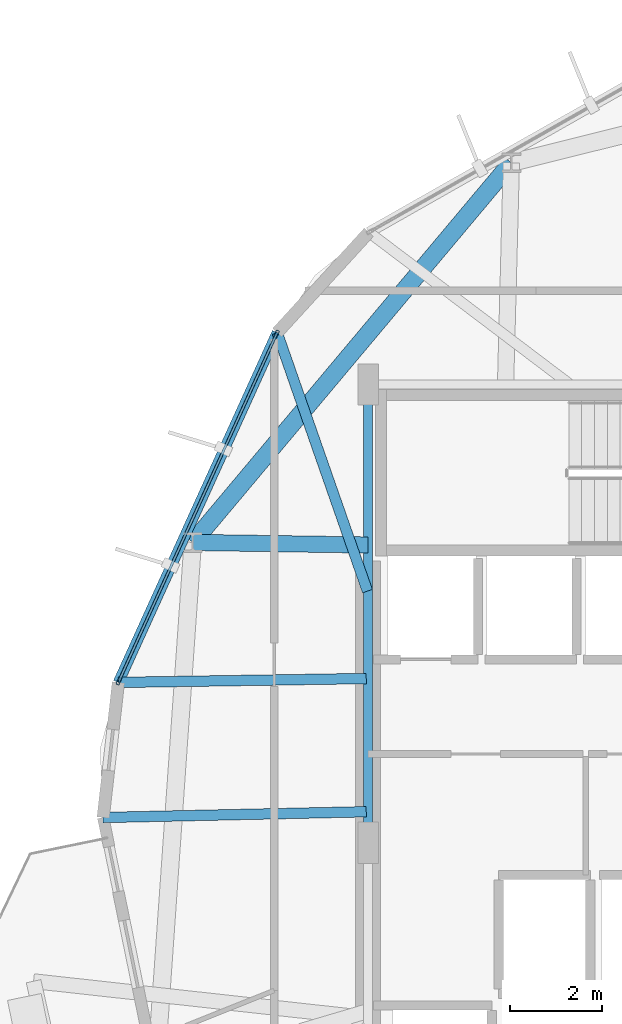
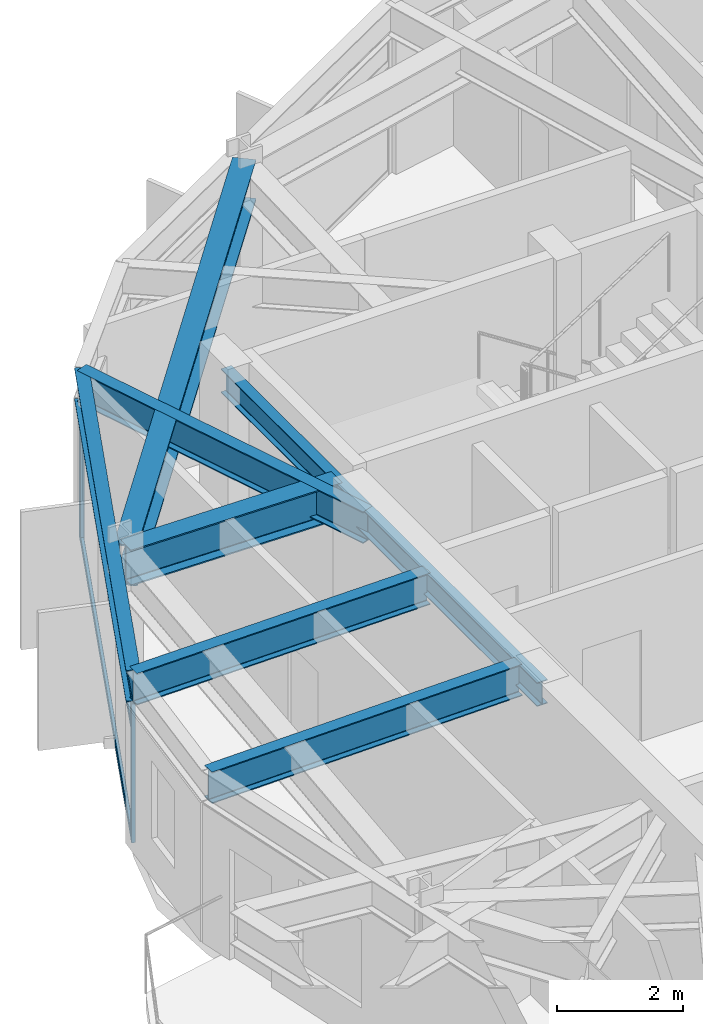
# One storey, part 7 of 22: 7 beams, 5 members, 1 element without a shape of its own.
"""IFC4 building model written with IfcOpenShell, lengths in metres."""

from ifc_helpers import new_model, si_unit, direction, frame, origin, origin_2d, place, context, subcontext, project, spatial, hollow_rectangle, i_section, extrude, material, layer, layer_set, material_profile, profile_set, type_object, element, aggregate, save


model = new_model("IFC4")

# Units and contexts
model_context = context("Model", 3, precision=1e-05, world=origin(), true_north=direction((0.0, 1.0)))
body_context = subcontext(model_context, "Body", "Model", "MODEL_VIEW")
ifc_project = project(units=[si_unit("LENGTHUNIT", "METRE"), si_unit("AREAUNIT", "SQUARE_METRE"), si_unit("VOLUMEUNIT", "CUBIC_METRE"), si_unit("PLANEANGLEUNIT", "RADIAN"), si_unit("MASSUNIT", "GRAM", prefix="KILO")], contexts=[model_context])

# Site, building, storey
site_placement = place(None, origin())
site = spatial("IfcSite", under=ifc_project, at=site_placement, CompositionType="ELEMENT")
building_placement = place(site_placement, origin())
building = spatial("IfcBuilding", under=site, at=building_placement, Name="Soratama Intermodal Tower", CompositionType="ELEMENT")
storey_placement = place(building_placement, frame((0.0, 0.0, 142.60009765625)))
storey = spatial("IfcBuildingStorey", under=building, at=storey_placement, Name="L34", CompositionType="ELEMENT", Elevation=142.60009765625)

# Beams
ifc_material_1 = material(Name="Structural steel ASTM A992 Grade 50", Category="steel")
ifc_material_profile_1 = material_profile(ifc_material_1, i_section(OverallWidth=0.19091796875, OverallDepth=0.4599609375, WebThickness=0.010009765625, FlangeThickness=0.01611328125, FilletRadius=0.010986328125, at=origin_2d()), Name="W18X55")
ifc_profile_set_1 = profile_set([ifc_material_profile_1], Name="Structural steel ASTM A992 Grade 50")
beam_type_1 = type_object("IfcBeamType", Name="BM-FLR-W18X55", PredefinedType="BEAM", material=ifc_profile_set_1)
beam_1_placement = place(storey_placement, frame((32.60009765625, 35.0, 3.06982421875), z_axis=(0.0, -1.0, 0.0), x_axis=(1.0, 0.0, 0.0)))
element("IfcBeam", 1, at=beam_1_placement, inside=storey, type_object=beam_type_1, Name="BM-L34-CRING-08", PredefinedType="BEAM", context=body_context, shape_type="SweptSolid", body=[
    extrude(i_section(OverallWidth=0.19091796875, OverallDepth=0.4599609375, WebThickness=0.010009765625, FlangeThickness=0.01611328125, FilletRadius=0.010986328125, at=origin_2d()), origin(), (0.0, 0.0, 1.0), 10.0),
])
ifc_material_2 = material(Name="Structural steel ASTM A992 Grade 50", Category="steel")
ifc_material_profile_2 = material_profile(ifc_material_2, i_section(OverallWidth=0.35498046875, OverallDepth=0.695068359375, WebThickness=0.015380859375, FlangeThickness=0.02490234375, FilletRadius=0.01611328125, at=origin_2d()), Name="W27X146")
ifc_profile_set_2 = profile_set([ifc_material_profile_2], Name="Structural steel ASTM A992 Grade 50")
beam_type_2 = type_object("IfcBeamType", Name="BM-RING-W27X146", PredefinedType="BEAM", material=ifc_profile_set_2)
beam_2_placement = place(storey_placement, frame((32.60009765625, 31.5, 2.952392578125), z_axis=(-0.999893261134, 0.014610487289, 0.0), x_axis=(-0.014610487289, -0.999893261134, 0.0)))
element("IfcBeam", 2, at=beam_2_placement, inside=storey, type_object=beam_type_2, Name="BM-L34-RAD-05", PredefinedType="BEAM", context=body_context, shape_type="SweptSolid", body=[
    extrude(i_section(OverallWidth=0.35498046875, OverallDepth=0.695068359375, WebThickness=0.015380859375, FlangeThickness=0.02490234375, FilletRadius=0.01611328125, at=origin_2d()), origin(), (0.0, 0.0, 1.0), 3.82666015625),
])
ifc_material_3 = material(Name="Structural steel ASTM A992 Grade 50", Category="steel")
ifc_material_profile_3 = material_profile(ifc_material_3, i_section(OverallWidth=0.382080078125, OverallDepth=0.779052734375, WebThickness=0.01806640625, FlangeThickness=0.030029296875, FilletRadius=0.01806640625, at=origin_2d()), Name="W30X191")
ifc_profile_set_3 = profile_set([ifc_material_profile_3], Name="Structural steel ASTM A992 Grade 50")
beam_type_3 = type_object("IfcBeamType", Name="BM-RING-W30X191", PredefinedType="BEAM", material=ifc_profile_set_3)
beam_3_placement = place(storey_placement, frame((35.72607421875, 39.841064453125, 2.910400390625), z_axis=(-0.642791781199, -0.766040942785, 0.0), x_axis=(0.766040942785, -0.642791781199, 0.0)))
element("IfcBeam", 3, at=beam_3_placement, inside=storey, type_object=beam_type_3, Name="BM-L34-RING-04", PredefinedType="BEAM", context=body_context, shape_type="SweptSolid", body=[
    extrude(i_section(OverallWidth=0.382080078125, OverallDepth=0.779052734375, WebThickness=0.01806640625, FlangeThickness=0.030029296875, FilletRadius=0.01806640625, at=origin_2d()), origin(), (0.0, 0.0, 1.0), 10.815673828125),
])
ifc_material_4 = material(Name="Structural steel ASTM A992 Grade 50", Category="steel")
ifc_material_profile_4 = material_profile(ifc_material_4, i_section(OverallWidth=0.22900390625, OverallDepth=0.612060546875, WebThickness=0.011962890625, FlangeThickness=0.01953125, FilletRadius=0.012939453125, at=origin_2d()), Name="W24X84")
ifc_profile_set_4 = profile_set([ifc_material_profile_4], Name="Structural steel ASTM A992 Grade 50")
beam_type_4 = type_object("IfcBeamType", Name="BM-SPN-W24X84", PredefinedType="SPANDREL", material=ifc_profile_set_4)
beam_4_placement = place(storey_placement, frame((30.615966796875, 36.135009765625, 2.993896484375), z_axis=(-0.413412383125, -0.910543904202, 0.0), x_axis=(0.910543904202, -0.413412383125, 0.0)))
element("IfcBeam", 4, at=beam_4_placement, inside=storey, type_object=beam_type_4, Name="BS-L34-F04", PredefinedType="SPANDREL", context=body_context, shape_type="SweptSolid", body=[
    extrude(i_section(OverallWidth=0.22900390625, OverallDepth=0.612060546875, WebThickness=0.011962890625, FlangeThickness=0.01953125, FilletRadius=0.012939453125, at=origin_2d()), origin(), (0.0, 0.0, 1.0), 8.384033203125),
])
ifc_material_5 = material(Name="Structural steel ASTM A992 Grade 50", Category="steel")
ifc_material_profile_5 = material_profile(ifc_material_5, i_section(OverallWidth=0.22900390625, OverallDepth=0.612060546875, WebThickness=0.011962890625, FlangeThickness=0.01953125, FilletRadius=0.012939453125, at=origin_2d()), Name="W24X84")
ifc_profile_set_5 = profile_set([ifc_material_profile_5], Name="Structural steel ASTM A992 Grade 50")
beam_type_5 = type_object("IfcBeamType", Name="BM-TIE-W24X84", PredefinedType="BEAM", material=ifc_profile_set_5)
beam_5_placement = place(storey_placement, frame((32.5869140625, 30.492919921875, 2.993896484375), z_axis=(-0.329786282769, 0.944055616845, 0.0), x_axis=(-0.944055616845, -0.329786282769, 0.0)))
element("IfcBeam", 5, at=beam_5_placement, inside=storey, type_object=beam_type_5, Name="BM-L34-TIE0-04", PredefinedType="BEAM", context=body_context, shape_type="SweptSolid", body=[
    extrude(i_section(OverallWidth=0.22900390625, OverallDepth=0.612060546875, WebThickness=0.011962890625, FlangeThickness=0.01953125, FilletRadius=0.012939453125, at=origin_2d()), origin(), (0.0, 0.0, 1.0), 5.976318359375),
])
beam_6_placement = place(storey_placement, frame((32.56005859375, 28.5859375, 2.993896484375), z_axis=(-0.999876715448, -0.015702035062, 0.0), x_axis=(0.015702035062, -0.999876715448, 0.0)))
element("IfcBeam", 6, at=beam_6_placement, inside=storey, type_object=beam_type_5, Name="BM-L34-TIE1-04", PredefinedType="BEAM", context=body_context, shape_type="SweptSolid", body=[
    extrude(i_section(OverallWidth=0.22900390625, OverallDepth=0.612060546875, WebThickness=0.011962890625, FlangeThickness=0.01953125, FilletRadius=0.012939453125, at=origin_2d()), origin(), (0.0, 0.0, 1.0), 5.410888671875),
])
beam_7_placement = place(storey_placement, frame((32.56005859375, 25.678955078125, 2.993896484375), z_axis=(-0.999759411452, -0.021934429878, 0.0), x_axis=(0.021934429878, -0.999759411452, 0.0)))
element("IfcBeam", 7, at=beam_7_placement, inside=storey, type_object=beam_type_5, Name="BM-L34-TIE0-05", PredefinedType="BEAM", context=body_context, shape_type="SweptSolid", body=[
    extrude(i_section(OverallWidth=0.22900390625, OverallDepth=0.612060546875, WebThickness=0.011962890625, FlangeThickness=0.01953125, FilletRadius=0.012939453125, at=origin_2d()), origin(), (0.0, 0.0, 1.0), 5.743408203125),
])

# Curtain wall, members
ifc_material_6 = material(Name="Double-glazed aluminium curtain wall", Category="aluminium")
ifc_layer = layer(ifc_material_6, 0.159912109375)
ifc_layer_set = layer_set([ifc_layer], Name="Double-glazed aluminium curtain wall")
curtain_wall_type = type_object("IfcCurtainWallType", Name="CW-SYS-4", PredefinedType="NOTDEFINED", material=ifc_layer_set)
curtain_wall_placement = place(storey_placement, origin())
curtain_wall = element("IfcCurtainWall", 8, at=curtain_wall_placement, inside=storey, type_object=curtain_wall_type, Name="L34 Faceted Curtain Wall F04", PredefinedType="NOTDEFINED")
ifc_material_7 = material(Name="Anodised aluminium AA 6063-T6", Category="aluminium")
ifc_material_profile_6 = material_profile(ifc_material_7, hollow_rectangle(XDim=0.070068359375, YDim=0.159912109375, WallThickness=0.0048828125, InnerFilletRadius=0.0048828125, OuterFilletRadius=0.010009765625, at=origin_2d()), Name="CWM160X70X5")
ifc_profile_set_6 = profile_set([ifc_material_profile_6], Name="Anodised aluminium AA 6063-T6")
member_type_1 = type_object("IfcMemberType", Name="MT-CWM-4", PredefinedType="MULLION", material=ifc_profile_set_6)
member_1_placement = place(storey_placement, frame((30.603271484375, 36.107177734375, 0.0), z_axis=(0.0, 0.0, 1.0), x_axis=(0.910538379449, -0.413424551218, 0.0)))
member_1 = element("IfcMember", 9, at=member_1_placement, type_object=member_type_1, Name="CW-4 mullion 1", PredefinedType="MULLION", context=body_context, shape_type="SweptSolid", body=[
    extrude(hollow_rectangle(XDim=0.070068359375, YDim=0.159912109375, WallThickness=0.0048828125, InnerFilletRadius=0.0048828125, OuterFilletRadius=0.010009765625, at=origin_2d()), origin(), (0.0, 0.0, 1.0), 2.678955078125),
])
member_2_placement = place(storey_placement, frame((27.162109375, 28.528564453125, 0.0), z_axis=(0.0, 0.0, 1.0), x_axis=(0.910538379449, -0.413424551218, 0.0)))
member_2 = element("IfcMember", 10, at=member_2_placement, type_object=member_type_1, Name="CW-4 mullion 2", PredefinedType="MULLION", context=body_context, shape_type="SweptSolid", body=[
    extrude(hollow_rectangle(XDim=0.070068359375, YDim=0.159912109375, WallThickness=0.0048828125, InnerFilletRadius=0.0048828125, OuterFilletRadius=0.010009765625, at=origin_2d()), origin(), (0.0, 0.0, 1.0), 2.678955078125),
])
ifc_material_8 = material(Name="Anodised aluminium AA 6063-T6", Category="aluminium")
ifc_material_profile_7 = material_profile(ifc_material_8, hollow_rectangle(XDim=0.06005859375, YDim=0.1298828125, WallThickness=0.0048828125, InnerFilletRadius=0.0048828125, OuterFilletRadius=0.010009765625, at=origin_2d()), Name="CWT130X60X5")
ifc_profile_set_7 = profile_set([ifc_material_profile_7], Name="Anodised aluminium AA 6063-T6")
member_type_2 = type_object("IfcMemberType", Name="TT-CWT-2", PredefinedType="USERDEFINED", material=ifc_profile_set_7)
member_3_placement = place(storey_placement, frame((30.5908203125, 36.080078125, 0.02978515625), z_axis=(-0.413420039796, -0.91054042782, 0.0), x_axis=(0.91054042782, -0.413420039796, 0.0)))
member_3 = element("IfcMember", 11, at=member_3_placement, type_object=member_type_2, Name="CW-4 transom 1.1", ObjectType="TRANSOM", PredefinedType="USERDEFINED", context=body_context, shape_type="SweptSolid", body=[
    extrude(hollow_rectangle(XDim=0.06005859375, YDim=0.1298828125, WallThickness=0.0048828125, InnerFilletRadius=0.0048828125, OuterFilletRadius=0.010009765625, at=origin_2d()), origin(), (0.0, 0.0, 1.0), 8.263427734375),
])
member_4_placement = place(storey_placement, frame((30.5908203125, 36.080078125, 2.14990234375), z_axis=(-0.413420039796, -0.91054042782, 0.0), x_axis=(0.91054042782, -0.413420039796, 0.0)))
member_4 = element("IfcMember", 12, at=member_4_placement, type_object=member_type_2, Name="CW-4 transom 1.2", ObjectType="TRANSOM", PredefinedType="USERDEFINED", context=body_context, shape_type="SweptSolid", body=[
    extrude(hollow_rectangle(XDim=0.06005859375, YDim=0.1298828125, WallThickness=0.0048828125, InnerFilletRadius=0.0048828125, OuterFilletRadius=0.010009765625, at=origin_2d()), origin(), (0.0, 0.0, 1.0), 8.263427734375),
])
member_5_placement = place(storey_placement, frame((30.5908203125, 36.080078125, 2.64892578125), z_axis=(-0.413420039796, -0.91054042782, 0.0), x_axis=(0.91054042782, -0.413420039796, 0.0)))
member_5 = element("IfcMember", 13, at=member_5_placement, type_object=member_type_2, Name="CW-4 transom 1.3", ObjectType="TRANSOM", PredefinedType="USERDEFINED", context=body_context, shape_type="SweptSolid", body=[
    extrude(hollow_rectangle(XDim=0.06005859375, YDim=0.1298828125, WallThickness=0.0048828125, InnerFilletRadius=0.0048828125, OuterFilletRadius=0.010009765625, at=origin_2d()), origin(), (0.0, 0.0, 1.0), 8.263427734375),
])
aggregate(curtain_wall, [member_1, member_2, member_3, member_4, member_5])

save(model, "model.ifc")
